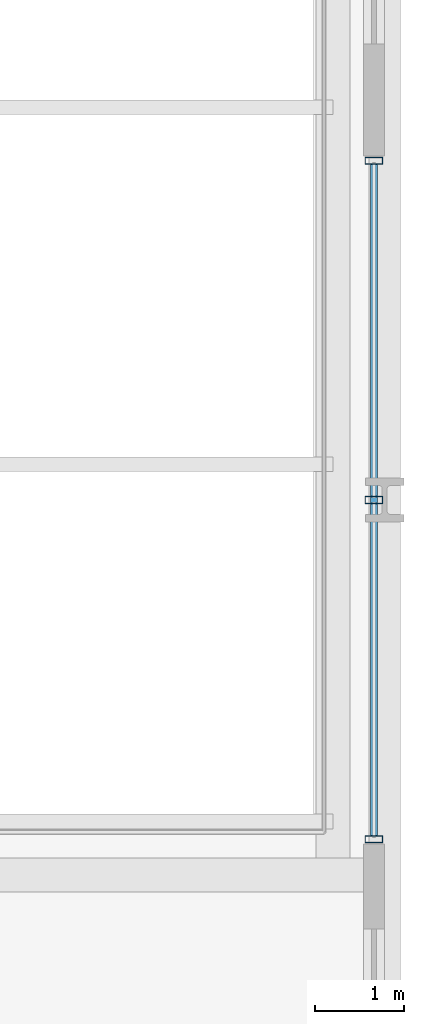
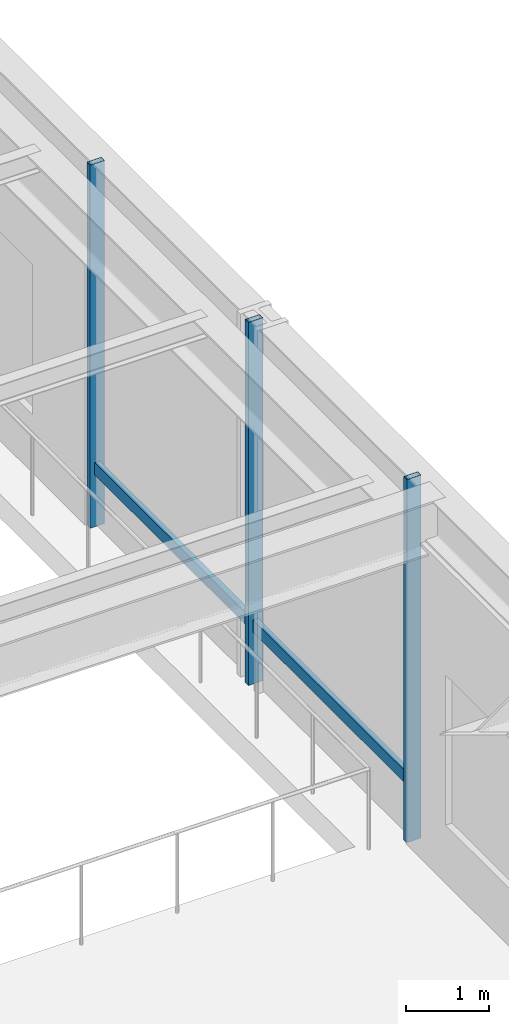
# One storey, part 7 of 19: 4 members, 1 element without a shape of its own.
"""IFC4 building model written with IfcOpenShell, lengths in metres."""

from ifc_helpers import new_model, si_unit, direction, frame, origin, origin_2d, place, context, subcontext, project, spatial, hollow_rectangle, extrude, material, layer, layer_set, material_profile, profile_set, type_object, element, aggregate, save


model = new_model("IFC4")

# Units and contexts
model_context = context("Model", 3, precision=1e-05, world=origin(), true_north=direction((0.0, 1.0)))
body_context = subcontext(model_context, "Body", "Model", "MODEL_VIEW")
ifc_project = project(units=[si_unit("LENGTHUNIT", "METRE"), si_unit("AREAUNIT", "SQUARE_METRE"), si_unit("VOLUMEUNIT", "CUBIC_METRE"), si_unit("PLANEANGLEUNIT", "RADIAN"), si_unit("MASSUNIT", "GRAM", prefix="KILO")], contexts=[model_context])

# Site, building, storey
site_placement = place(None, origin())
site = spatial("IfcSite", under=ifc_project, at=site_placement, CompositionType="ELEMENT")
building_placement = place(site_placement, origin())
building = spatial("IfcBuilding", under=site, at=building_placement, Name="Drelvath Grand Hotel", CompositionType="ELEMENT")
storey_placement = place(building_placement, frame((0.0, 0.0, 27.60009765625)))
storey = spatial("IfcBuildingStorey", under=building, at=storey_placement, Name="L05", CompositionType="ELEMENT", Elevation=27.60009765625)

# Curtain wall, members
ifc_material = material(Name="Dark Bronze Anodised Aluminium Frame", Category="aluminium")
ifc_layer = layer(ifc_material, 0.199951171875)
ifc_layer_set = layer_set([ifc_layer], Name="Dark Bronze Anodised Aluminium Frame")
curtain_wall_type = type_object("IfcCurtainWallType", Name="Stick Curtain Wall CW-01 Dark Bronze Podium", PredefinedType="NOTDEFINED", material=ifc_layer_set)
curtain_wall_placement = place(storey_placement, origin())
curtain_wall = element("IfcCurtainWall", 1, at=curtain_wall_placement, inside=storey, type_object=curtain_wall_type, Name="L05 CW-01 Curtain Wall CW01-L05-EA1", PredefinedType="NOTDEFINED")
ifc_material_profile_1 = material_profile(ifc_material, hollow_rectangle(XDim=0.074951171875, YDim=0.179931640625, WallThickness=0.0048828125, at=origin_2d()), Name="HSS180X75X5")
ifc_profile_set_1 = profile_set([ifc_material_profile_1], Name="Dark Bronze Anodised Aluminium Frame")
member_type_1 = type_object("IfcMemberType", Name="Curtain Wall Horizontal Transom CW-01 HSS180X75X5", PredefinedType="USERDEFINED", material=ifc_profile_set_1)
member_1_placement = place(storey_placement, frame((38.8798828125, 22.360107421875, 0.849853515625), z_axis=(0.0, -1.0, 0.0), x_axis=(1.0, 0.0, 0.0)))
member_1 = element("IfcMember", 2, at=member_1_placement, type_object=member_type_1, Name="CW01-L05-EA1 Sill Transom", ObjectType="TRANSOM", PredefinedType="USERDEFINED", context=body_context, shape_type="SweptSolid", body=[
    extrude(hollow_rectangle(XDim=0.074951171875, YDim=0.179931640625, WallThickness=0.0048828125, at=origin_2d()), origin(), (0.0, 0.0, 1.0), 7.52001953125),
])
ifc_material_profile_2 = material_profile(ifc_material, hollow_rectangle(XDim=0.080078125, YDim=0.199951171875, WallThickness=0.0048828125, at=origin_2d()), Name="HSS200X80X5")
ifc_profile_set_2 = profile_set([ifc_material_profile_2], Name="Dark Bronze Anodised Aluminium Frame")
member_type_2 = type_object("IfcMemberType", Name="Curtain Wall Vertical Mullion CW-01 HSS200X80X5", PredefinedType="MULLION", material=ifc_profile_set_2)
member_2_placement = place(storey_placement, frame((38.8798828125, 22.39990234375, 0.0), z_axis=(0.0, 0.0, 1.0), x_axis=(0.0, 1.0, 0.0)))
member_2 = element("IfcMember", 3, at=member_2_placement, type_object=member_type_2, Name="CW01-L05-EA1 Mullion 1", PredefinedType="MULLION", context=body_context, shape_type="SweptSolid", body=[
    extrude(hollow_rectangle(XDim=0.080078125, YDim=0.199951171875, WallThickness=0.0048828125, at=origin_2d()), origin(), (0.0, 0.0, 1.0), 5.31982421875),
])
member_3_placement = place(storey_placement, frame((38.8798828125, 18.60009765625, 0.0), z_axis=(0.0, 0.0, 1.0), x_axis=(0.0, 1.0, 0.0)))
member_3 = element("IfcMember", 4, at=member_3_placement, type_object=member_type_2, Name="CW01-L05-EA1 Mullion 2", PredefinedType="MULLION", context=body_context, shape_type="SweptSolid", body=[
    extrude(hollow_rectangle(XDim=0.080078125, YDim=0.199951171875, WallThickness=0.0048828125, at=origin_2d()), origin(), (0.0, 0.0, 1.0), 5.31982421875),
])
member_4_placement = place(storey_placement, frame((38.8798828125, 14.800048828125, 0.0), z_axis=(0.0, 0.0, 1.0), x_axis=(0.0, 1.0, 0.0)))
member_4 = element("IfcMember", 5, at=member_4_placement, type_object=member_type_2, Name="CW01-L05-EA1 Mullion 3", PredefinedType="MULLION", context=body_context, shape_type="SweptSolid", body=[
    extrude(hollow_rectangle(XDim=0.080078125, YDim=0.199951171875, WallThickness=0.0048828125, at=origin_2d()), origin(), (0.0, 0.0, 1.0), 5.31982421875),
])
aggregate(curtain_wall, [member_2, member_3, member_4, member_1])

save(model, "model.ifc")
